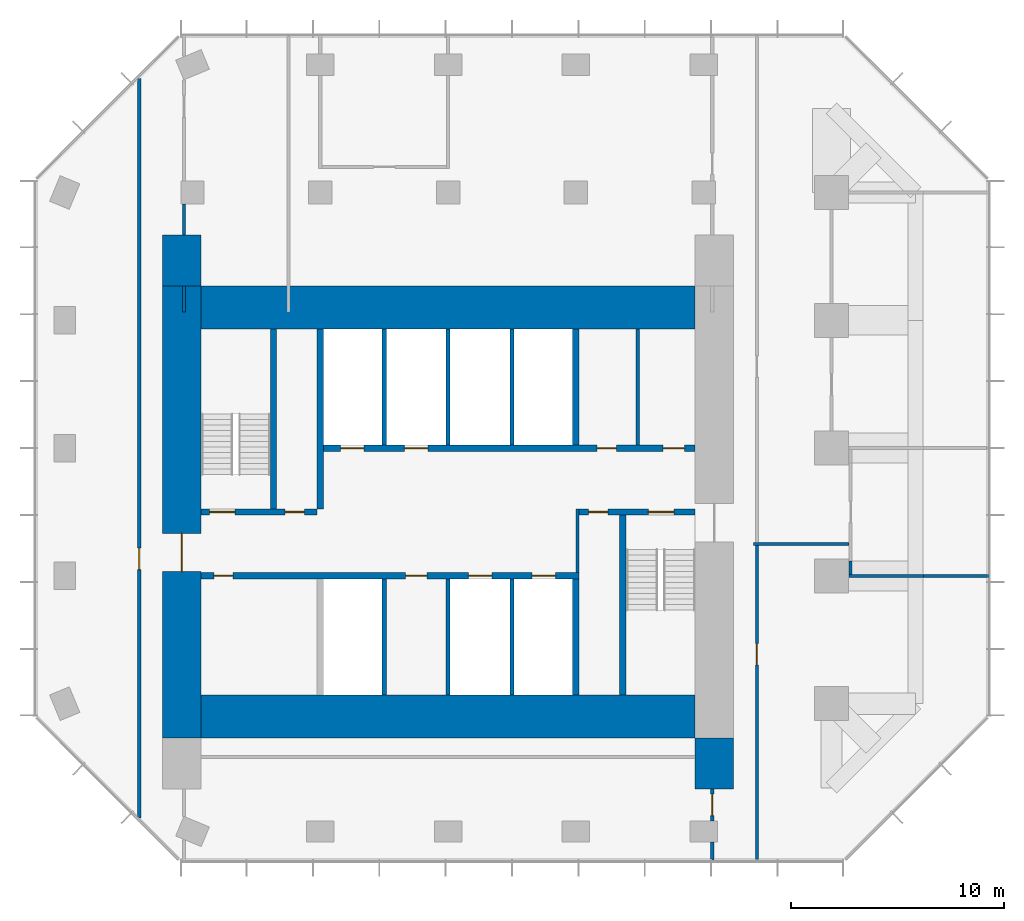
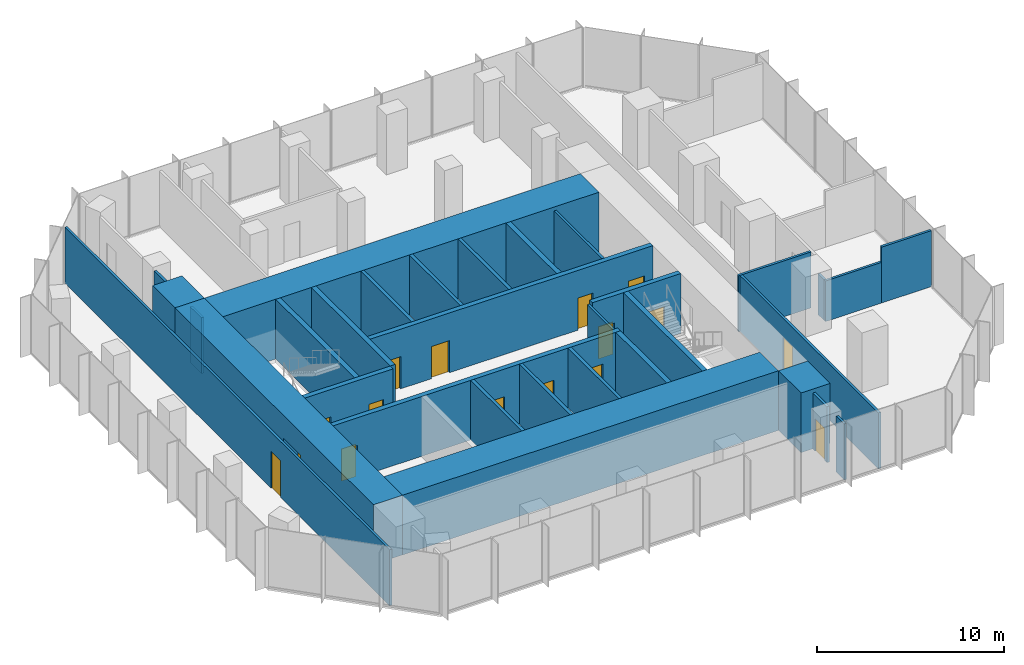
# One storey, part 8 of 10: 32 walls, 16 doors, 16 openings.
"""IFC4 building model written with IfcOpenShell, lengths in metres."""

from ifc_helpers import new_model, si_unit, direction, frame, frame_2d, origin, place, context, subcontext, project, spatial, rectangle, extrude, material, layer, layer_set, type_object, element, fill, save


model = new_model("IFC4")

# Units and contexts
model_context = context("Model", 3, precision=1e-05, world=origin(), true_north=direction((0.0, 1.0)))
body_context = subcontext(model_context, "Body", "Model", "MODEL_VIEW")
ifc_project = project(units=[si_unit("LENGTHUNIT", "METRE"), si_unit("AREAUNIT", "SQUARE_METRE"), si_unit("VOLUMEUNIT", "CUBIC_METRE"), si_unit("PLANEANGLEUNIT", "RADIAN"), si_unit("MASSUNIT", "GRAM", prefix="KILO")], contexts=[model_context])

# Site, building, storey
site_placement = place(None, origin())
site = spatial("IfcSite", under=ifc_project, at=site_placement, CompositionType="ELEMENT")
building_placement = place(site_placement, origin())
building = spatial("IfcBuilding", under=site, at=building_placement, Name="Highveld Stack Headquarters", CompositionType="ELEMENT")
storey_placement = place(building_placement, frame((0.0, 0.0, 256.699951171875)))
storey = spatial("IfcBuildingStorey", under=building, at=storey_placement, Name="L63", CompositionType="ELEMENT", Elevation=256.699951171875)

# Wall, opening, door
ifc_material_1 = material(Name="Concrete C60/75", Category="concrete")
ifc_layer_1 = layer(ifc_material_1, 1.800048828125)
ifc_layer_set_1 = layer_set([ifc_layer_1], Name="Concrete C60/75")
wall_type_1 = type_object("IfcWallType", Name="CORE WALL 1800 C60/75", PredefinedType="SHEAR", material=ifc_layer_set_1)
wall_1_placement = place(storey_placement, frame((-6.5, -7.60009765625, 0.0), z_axis=(0.0, 0.0, 1.0), x_axis=(0.0, 1.0, 0.0)))
wall_1 = element("IfcWall", 1, at=wall_1_placement, inside=storey, type_object=wall_type_1, Name="Core wall W L63", PredefinedType="SHEAR", context=body_context, shape_type="SweptSolid", body=[
    extrude(rectangle(XDim=21.2001953125, YDim=1.800048828125, at=frame_2d((10.60009765625, 0.0))), origin(), (0.0, 0.0, 1.0), 3.900146484375),
])
opening_1_placement = place(wall_1_placement, frame((7.800048828125, 0.0, 0.0)))
opening_1 = element("IfcOpeningElement", 2, at=opening_1_placement, cuts=wall_1, Name="Opening L63-01", PredefinedType="OPENING", context=body_context, shape_type="SweptSolid", body=[
    extrude(rectangle(XDim=1.800048828125, YDim=2.39990234375, at=frame_2d((0.89990234375, 1.199951171875))), frame((0.0, 0.909912109375, 0.0), z_axis=(0.0, -1.0, 0.0), x_axis=(1.0, 0.0, 0.0)), (0.0, 0.0, 1.0), 1.820068359375),
])
ifc_material_2 = material(Name="Steel fire door", Category="steel")
door_type_1 = type_object("IfcDoorType", Name="LOBBY FIRE DOOR D4 1800x2400", OperationType="DOUBLE_DOOR_SINGLE_SWING", PredefinedType="DOOR", material=ifc_material_2)
door_1_placement = place(opening_1_placement, origin())
door_1 = element("IfcDoor", 3, at=door_1_placement, inside=storey, type_object=door_type_1, Name="Core west door L63", OperationType="DOUBLE_DOOR_SINGLE_SWING", OverallHeight=2.39990234375, OverallWidth=1.800048828125, PredefinedType="DOOR", context=body_context, shape_type="SweptSolid", body=[
    extrude(rectangle(XDim=1.800048828125, YDim=2.39990234375, at=frame_2d((0.89990234375, 1.199951171875))), frame((0.0, 0.02490234375, 0.0), z_axis=(0.0, -1.0, 0.0), x_axis=(1.0, 0.0, 0.0)), (0.0, 0.0, 1.0), 0.050048828125),
])
fill(opening_1, door_1)

# Walls
ifc_material_3 = material(Name="Concrete C60/75", Category="concrete")
ifc_layer_2 = layer(ifc_material_3, 2.0)
ifc_layer_set_2 = layer_set([ifc_layer_2], Name="Concrete C60/75")
wall_type_2 = type_object("IfcWallType", Name="CORE WALL 2000 C60/75", PredefinedType="SHEAR", material=ifc_layer_set_2)
for number, where, z_axis, x_axis, name in (
    (4, (-5.60009765625, -6.60009765625, 0.0), (0.0, 0.0, 1.0), (1.0, 0.0, 0.0), "Core wall S L63"),
    (5, (-5.60009765625, 12.60009765625, 0.0), (0.0, 0.0, 1.0), (1.0, 0.0, 0.0), "Core wall N L63"),
):
    element("IfcWall", number, at=place(storey_placement, frame(where, z_axis=z_axis, x_axis=x_axis)), inside=storey, type_object=wall_type_2, Name=name, PredefinedType="SHEAR", context=body_context, shape_type="SweptSolid", body=[
        extrude(rectangle(XDim=23.2001953125, YDim=2.0, at=frame_2d((11.60009765625, 0.0))), origin(), (0.0, 0.0, 1.0), 3.900146484375),
    ])

# Wall, openings, doors
ifc_material_4 = material(Name="Concrete C60/75", Category="concrete")
ifc_layer_3 = layer(ifc_material_4, 0.300048828125)
ifc_layer_set_3 = layer_set([ifc_layer_3], Name="Concrete C60/75")
wall_type_3 = type_object("IfcWallType", Name="CORE WALL 300 C60/75", PredefinedType="SHEAR", material=ifc_layer_set_3)
wall_2_placement = place(storey_placement, frame((-5.60009765625, 0.0, 0.0), z_axis=(0.0, 0.0, 1.0), x_axis=(1.0, 0.0, 0.0)))
wall_2 = element("IfcWall", 6, at=wall_2_placement, inside=storey, type_object=wall_type_3, Name="Core wall I-Y0 L63", PredefinedType="SHEAR", context=body_context, shape_type="SweptSolid", body=[
    extrude(rectangle(XDim=17.75, YDim=0.300048828125, at=frame_2d((8.875, 0.0))), origin(), (0.0, 0.0, 1.0), 3.900146484375),
])
opening_2_placement = place(wall_2_placement, frame((0.60009765625, 0.0, 0.0)))
opening_2 = element("IfcOpeningElement", 7, at=opening_2_placement, cuts=wall_2, Name="Opening L63-07", PredefinedType="OPENING", context=body_context, shape_type="SweptSolid", body=[
    extrude(rectangle(XDim=0.89990234375, YDim=2.10009765625, at=frame_2d((0.449951171875, 1.050048828125))), frame((0.0, 0.159912109375, 0.0), z_axis=(0.0, -1.0, 0.0), x_axis=(1.0, 0.0, 0.0)), (0.0, 0.0, 1.0), 0.320068359375),
])
opening_3_placement = place(wall_2_placement, frame((9.60009765625, 0.0, 0.0)))
opening_3 = element("IfcOpeningElement", 8, at=opening_3_placement, cuts=wall_2, Name="Opening L63-10", PredefinedType="OPENING", context=body_context, shape_type="SweptSolid", body=[
    extrude(rectangle(XDim=1.0, YDim=2.10009765625, at=frame_2d((0.5, 1.050048828125))), frame((0.0, 0.159912109375, 0.0), z_axis=(0.0, -1.0, 0.0), x_axis=(1.0, 0.0, 0.0)), (0.0, 0.0, 1.0), 0.320068359375),
])
opening_4_placement = place(wall_2_placement, frame((12.550048828125, 0.0, 0.0)))
opening_4 = element("IfcOpeningElement", 9, at=opening_4_placement, cuts=wall_2, Name="Opening LD", PredefinedType="OPENING", context=body_context, shape_type="SweptSolid", body=[
    extrude(rectangle(XDim=1.10009765625, YDim=2.10009765625, at=frame_2d((0.550048828125, 1.050048828125))), frame((0.0, 0.159912109375, 0.0), z_axis=(0.0, -1.0, 0.0), x_axis=(1.0, 0.0, 0.0)), (0.0, 0.0, 1.0), 0.320068359375),
])
opening_5_placement = place(wall_2_placement, frame((15.550048828125, 0.0, 0.0)))
opening_5 = element("IfcOpeningElement", 10, at=opening_5_placement, cuts=wall_2, Name="Opening LD", PredefinedType="OPENING", context=body_context, shape_type="SweptSolid", body=[
    extrude(rectangle(XDim=1.10009765625, YDim=2.10009765625, at=frame_2d((0.550048828125, 1.050048828125))), frame((0.0, 0.159912109375, 0.0), z_axis=(0.0, -1.0, 0.0), x_axis=(1.0, 0.0, 0.0)), (0.0, 0.0, 1.0), 0.320068359375),
])
ifc_material_5 = material(Name="Steel fire door", Category="steel")
door_type_2 = type_object("IfcDoorType", Name="CORE ROOM FIRE DOOR D14 1000x2100", OperationType="SINGLE_SWING_LEFT", PredefinedType="DOOR", material=ifc_material_5)
door_2_placement = place(opening_3_placement, origin())
door_2 = element("IfcDoor", 11, at=door_2_placement, inside=storey, type_object=door_type_2, Name="Capped B 1 door L63", OperationType="SINGLE_SWING_RIGHT", OverallHeight=2.10009765625, OverallWidth=1.0, PredefinedType="DOOR", context=body_context, shape_type="SweptSolid", body=[
    extrude(rectangle(XDim=1.0, YDim=2.10009765625, at=frame_2d((0.5, 1.050048828125))), frame((0.0, 0.02490234375, 0.0), z_axis=(0.0, -1.0, 0.0), x_axis=(1.0, 0.0, 0.0)), (0.0, 0.0, 1.0), 0.050048828125),
])
fill(opening_3, door_2)
ifc_material_6 = material(Name="Stainless steel lift landing door", Category="steel")
door_type_3 = type_object("IfcDoorType", Name="LIFT LANDING DOOR LD 1100x2100", OperationType="DOUBLE_DOOR_SLIDING", PredefinedType="USERDEFINED", material=ifc_material_6)
door_3_placement = place(opening_4_placement, origin())
door_3 = element("IfcDoor", 12, at=door_3_placement, inside=storey, type_object=door_type_3, Name="Lift landing door C1 L63", ObjectType="LIFT LANDING DOOR", OperationType="DOUBLE_DOOR_SLIDING", OverallHeight=2.10009765625, OverallWidth=1.10009765625, PredefinedType="USERDEFINED", context=body_context, shape_type="SweptSolid", body=[
    extrude(rectangle(XDim=1.10009765625, YDim=2.10009765625, at=frame_2d((0.550048828125, 1.050048828125))), frame((0.0, 0.02490234375, 0.0), z_axis=(0.0, -1.0, 0.0), x_axis=(1.0, 0.0, 0.0)), (0.0, 0.0, 1.0), 0.050048828125),
])
fill(opening_4, door_3)
door_4_placement = place(opening_5_placement, origin())
door_4 = element("IfcDoor", 13, at=door_4_placement, inside=storey, type_object=door_type_3, Name="Lift landing door C2 L63", ObjectType="LIFT LANDING DOOR", OperationType="DOUBLE_DOOR_SLIDING", OverallHeight=2.10009765625, OverallWidth=1.10009765625, PredefinedType="USERDEFINED", context=body_context, shape_type="SweptSolid", body=[
    extrude(rectangle(XDim=1.10009765625, YDim=2.10009765625, at=frame_2d((0.550048828125, 1.050048828125))), frame((0.0, 0.02490234375, 0.0), z_axis=(0.0, -1.0, 0.0), x_axis=(1.0, 0.0, 0.0)), (0.0, 0.0, 1.0), 0.050048828125),
])
fill(opening_5, door_4)
ifc_material_7 = material(Name="Timber door, painted", Category="wood")
door_type_4 = type_object("IfcDoorType", Name="WC DOOR D1 900x2100", OperationType="SINGLE_SWING_LEFT", PredefinedType="DOOR", material=ifc_material_7)
door_5_placement = place(opening_2_placement, origin())
door_5 = element("IfcDoor", 14, at=door_5_placement, inside=storey, type_object=door_type_4, Name="Female WC door L63", OperationType="SINGLE_SWING_LEFT", OverallHeight=2.10009765625, OverallWidth=0.89990234375, PredefinedType="DOOR", context=body_context, shape_type="SweptSolid", body=[
    extrude(rectangle(XDim=0.89990234375, YDim=2.10009765625, at=frame_2d((0.449951171875, 1.050048828125))), frame((0.0, 0.02490234375, 0.0), z_axis=(0.0, -1.0, 0.0), x_axis=(1.0, 0.0, 0.0)), (0.0, 0.0, 1.0), 0.050048828125),
])
fill(opening_2, door_5)

wall_3_placement = place(storey_placement, frame((-5.60009765625, 3.0, 0.0), z_axis=(0.0, 0.0, 1.0), x_axis=(1.0, 0.0, 0.0)))
wall_3 = element("IfcWall", 15, at=wall_3_placement, inside=storey, type_object=wall_type_3, Name="Core wall I-Y3W L63", PredefinedType="SHEAR", context=body_context, shape_type="SweptSolid", body=[
    extrude(rectangle(XDim=5.4501953125, YDim=0.300048828125, at=frame_2d((2.72509765625, 0.0))), origin(), (0.0, 0.0, 1.0), 3.900146484375),
])
opening_6_placement = place(wall_3_placement, frame((0.39990234375, 0.0, 0.0)))
opening_6 = element("IfcOpeningElement", 16, at=opening_6_placement, cuts=wall_3, Name="Opening L63-03", PredefinedType="OPENING", context=body_context, shape_type="SweptSolid", body=[
    extrude(rectangle(XDim=1.199951171875, YDim=2.10009765625, at=frame_2d((0.60009765625, 1.050048828125))), frame((0.0, 0.159912109375, 0.0), z_axis=(0.0, -1.0, 0.0), x_axis=(1.0, 0.0, 0.0)), (0.0, 0.0, 1.0), 0.320068359375),
])
opening_7_placement = place(wall_3_placement, frame((3.949951171875, 0.0, 0.0)))
opening_7 = element("IfcOpeningElement", 17, at=opening_7_placement, cuts=wall_3, Name="Opening L63-04", PredefinedType="OPENING", context=body_context, shape_type="SweptSolid", body=[
    extrude(rectangle(XDim=0.89990234375, YDim=2.10009765625, at=frame_2d((0.449951171875, 1.050048828125))), frame((0.0, 0.159912109375, 0.0), z_axis=(0.0, -1.0, 0.0), x_axis=(1.0, 0.0, 0.0)), (0.0, 0.0, 1.0), 0.320068359375),
])
ifc_material_8 = material(Name="Steel fire door", Category="steel")
door_type_5 = type_object("IfcDoorType", Name="RISER ACCESS DOOR D5 900x2100", OperationType="SINGLE_SWING_LEFT", PredefinedType="DOOR", material=ifc_material_8)
door_6_placement = place(opening_7_placement, origin())
door_6 = element("IfcDoor", 18, at=door_6_placement, inside=storey, type_object=door_type_5, Name="Riser R1 door L63", OperationType="SINGLE_SWING_RIGHT", OverallHeight=2.10009765625, OverallWidth=0.89990234375, PredefinedType="DOOR", context=body_context, shape_type="SweptSolid", body=[
    extrude(rectangle(XDim=0.89990234375, YDim=2.10009765625, at=frame_2d((0.449951171875, 1.050048828125))), frame((0.0, 0.02490234375, 0.0), z_axis=(0.0, -1.0, 0.0), x_axis=(1.0, 0.0, 0.0)), (0.0, 0.0, 1.0), 0.050048828125),
])
fill(opening_7, door_6)
ifc_material_9 = material(Name="Steel fire door", Category="steel")
door_type_6 = type_object("IfcDoorType", Name="STAIR FIRE DOOR D3 1200x2100", OperationType="SINGLE_SWING_LEFT", PredefinedType="DOOR", material=ifc_material_9)
door_7_placement = place(opening_6_placement, origin())
door_7 = element("IfcDoor", 19, at=door_7_placement, inside=storey, type_object=door_type_6, Name="Stair S1 door L63", OperationType="SINGLE_SWING_LEFT", OverallHeight=2.10009765625, OverallWidth=1.199951171875, PredefinedType="DOOR", context=body_context, shape_type="SweptSolid", body=[
    extrude(rectangle(XDim=1.199951171875, YDim=2.10009765625, at=frame_2d((0.60009765625, 1.050048828125))), frame((0.0, 0.02490234375, 0.0), z_axis=(0.0, -1.0, 0.0), x_axis=(1.0, 0.0, 0.0)), (0.0, 0.0, 1.0), 0.050048828125),
])
fill(opening_6, door_7)

wall_4_placement = place(storey_placement, frame((12.14990234375, 3.0, 0.0), z_axis=(0.0, 0.0, 1.0), x_axis=(1.0, 0.0, 0.0)))
wall_4 = element("IfcWall", 20, at=wall_4_placement, inside=storey, type_object=wall_type_3, Name="Core wall I-Y3E L63", PredefinedType="SHEAR", context=body_context, shape_type="SweptSolid", body=[
    extrude(rectangle(XDim=5.4501953125, YDim=0.300048828125, at=frame_2d((2.72509765625, 0.0))), origin(), (0.0, 0.0, 1.0), 3.900146484375),
])
opening_8_placement = place(wall_4_placement, frame((3.25, 0.0, 0.0)))
opening_8 = element("IfcOpeningElement", 21, at=opening_8_placement, cuts=wall_4, Name="Opening L63-05", PredefinedType="OPENING", context=body_context, shape_type="SweptSolid", body=[
    extrude(rectangle(XDim=1.199951171875, YDim=2.10009765625, at=frame_2d((0.60009765625, 1.050048828125))), frame((0.0, 0.159912109375, 0.0), z_axis=(0.0, -1.0, 0.0), x_axis=(1.0, 0.0, 0.0)), (0.0, 0.0, 1.0), 0.320068359375),
])
opening_9_placement = place(wall_4_placement, frame((0.449951171875, 0.0, 0.0)))
opening_9 = element("IfcOpeningElement", 22, at=opening_9_placement, cuts=wall_4, Name="Opening L63-06", PredefinedType="OPENING", context=body_context, shape_type="SweptSolid", body=[
    extrude(rectangle(XDim=0.89990234375, YDim=2.10009765625, at=frame_2d((0.449951171875, 1.050048828125))), frame((0.0, 0.159912109375, 0.0), z_axis=(0.0, -1.0, 0.0), x_axis=(1.0, 0.0, 0.0)), (0.0, 0.0, 1.0), 0.320068359375),
])
door_8_placement = place(opening_9_placement, origin())
door_8 = element("IfcDoor", 23, at=door_8_placement, inside=storey, type_object=door_type_5, Name="Riser R2 door L63", OperationType="SINGLE_SWING_LEFT", OverallHeight=2.10009765625, OverallWidth=0.89990234375, PredefinedType="DOOR", context=body_context, shape_type="SweptSolid", body=[
    extrude(rectangle(XDim=0.89990234375, YDim=2.10009765625, at=frame_2d((0.449951171875, 1.050048828125))), frame((0.0, 0.02490234375, 0.0), z_axis=(0.0, -1.0, 0.0), x_axis=(1.0, 0.0, 0.0)), (0.0, 0.0, 1.0), 0.050048828125),
])
fill(opening_9, door_8)
door_9_placement = place(opening_8_placement, origin())
door_9 = element("IfcDoor", 24, at=door_9_placement, inside=storey, type_object=door_type_6, Name="Stair S2 door L63", OperationType="SINGLE_SWING_RIGHT", OverallHeight=2.10009765625, OverallWidth=1.199951171875, PredefinedType="DOOR", context=body_context, shape_type="SweptSolid", body=[
    extrude(rectangle(XDim=1.199951171875, YDim=2.10009765625, at=frame_2d((0.60009765625, 1.050048828125))), frame((0.0, 0.02490234375, 0.0), z_axis=(0.0, -1.0, 0.0), x_axis=(1.0, 0.0, 0.0)), (0.0, 0.0, 1.0), 0.050048828125),
])
fill(opening_8, door_9)

wall_5_placement = place(storey_placement, frame((-0.14990234375, 6.0, 0.0), z_axis=(0.0, 0.0, 1.0), x_axis=(1.0, 0.0, 0.0)))
wall_5 = element("IfcWall", 25, at=wall_5_placement, inside=storey, type_object=wall_type_3, Name="Core wall I-Y6 L63", PredefinedType="SHEAR", context=body_context, shape_type="SweptSolid", body=[
    extrude(rectangle(XDim=17.75, YDim=0.300048828125, at=frame_2d((8.875, 0.0))), origin(), (0.0, 0.0, 1.0), 3.900146484375),
])
opening_10_placement = place(wall_5_placement, frame((13.14990234375, 0.0, 0.0)))
opening_10 = element("IfcOpeningElement", 26, at=opening_10_placement, cuts=wall_5, Name="Opening L63-08", PredefinedType="OPENING", context=body_context, shape_type="SweptSolid", body=[
    extrude(rectangle(XDim=0.89990234375, YDim=2.10009765625, at=frame_2d((0.449951171875, 1.050048828125))), frame((0.0, 0.159912109375, 0.0), z_axis=(0.0, -1.0, 0.0), x_axis=(1.0, 0.0, 0.0)), (0.0, 0.0, 1.0), 0.320068359375),
])
opening_11_placement = place(wall_5_placement, frame((16.25, 0.0, 0.0)))
opening_11 = element("IfcOpeningElement", 27, at=opening_11_placement, cuts=wall_5, Name="Opening L63-09", PredefinedType="OPENING", context=body_context, shape_type="SweptSolid", body=[
    extrude(rectangle(XDim=1.0, YDim=2.10009765625, at=frame_2d((0.5, 1.050048828125))), frame((0.0, 0.159912109375, 0.0), z_axis=(0.0, -1.0, 0.0), x_axis=(1.0, 0.0, 0.0)), (0.0, 0.0, 1.0), 0.320068359375),
])
opening_12_placement = place(wall_5_placement, frame((1.10009765625, 0.0, 0.0)))
opening_12 = element("IfcOpeningElement", 28, at=opening_12_placement, cuts=wall_5, Name="Opening LD", PredefinedType="OPENING", context=body_context, shape_type="SweptSolid", body=[
    extrude(rectangle(XDim=1.10009765625, YDim=2.10009765625, at=frame_2d((0.550048828125, 1.050048828125))), frame((0.0, 0.159912109375, 0.0), z_axis=(0.0, -1.0, 0.0), x_axis=(1.0, 0.0, 0.0)), (0.0, 0.0, 1.0), 0.320068359375),
])
opening_13_placement = place(wall_5_placement, frame((4.10009765625, 0.0, 0.0)))
opening_13 = element("IfcOpeningElement", 29, at=opening_13_placement, cuts=wall_5, Name="Opening LD", PredefinedType="OPENING", context=body_context, shape_type="SweptSolid", body=[
    extrude(rectangle(XDim=1.10009765625, YDim=2.10009765625, at=frame_2d((0.550048828125, 1.050048828125))), frame((0.0, 0.159912109375, 0.0), z_axis=(0.0, -1.0, 0.0), x_axis=(1.0, 0.0, 0.0)), (0.0, 0.0, 1.0), 0.320068359375),
])
ifc_material_10 = material(Name="Timber door, painted", Category="wood")
door_type_7 = type_object("IfcDoorType", Name="ACCESSIBLE WC DOOR D2 1000x2100", OperationType="SINGLE_SWING_RIGHT", PredefinedType="DOOR", material=ifc_material_10)
door_10_placement = place(opening_11_placement, origin())
door_10 = element("IfcDoor", 30, at=door_10_placement, inside=storey, type_object=door_type_7, Name="Accessible WC door L63", OperationType="SINGLE_SWING_RIGHT", OverallHeight=2.10009765625, OverallWidth=1.0, PredefinedType="DOOR", context=body_context, shape_type="SweptSolid", body=[
    extrude(rectangle(XDim=1.0, YDim=2.10009765625, at=frame_2d((0.5, 1.050048828125))), frame((0.0, 0.02490234375, 0.0), z_axis=(0.0, -1.0, 0.0), x_axis=(1.0, 0.0, 0.0)), (0.0, 0.0, 1.0), 0.050048828125),
])
fill(opening_11, door_10)
door_11_placement = place(opening_12_placement, origin())
door_11 = element("IfcDoor", 31, at=door_11_placement, inside=storey, type_object=door_type_3, Name="Lift landing door FF1 L63", ObjectType="LIFT LANDING DOOR", OperationType="DOUBLE_DOOR_SLIDING", OverallHeight=2.10009765625, OverallWidth=1.10009765625, PredefinedType="USERDEFINED", context=body_context, shape_type="SweptSolid", body=[
    extrude(rectangle(XDim=1.10009765625, YDim=2.10009765625, at=frame_2d((0.550048828125, 1.050048828125))), frame((0.0, 0.02490234375, 0.0), z_axis=(0.0, -1.0, 0.0), x_axis=(1.0, 0.0, 0.0)), (0.0, 0.0, 1.0), 0.050048828125),
])
fill(opening_12, door_11)
door_12_placement = place(opening_13_placement, origin())
door_12 = element("IfcDoor", 32, at=door_12_placement, inside=storey, type_object=door_type_3, Name="Lift landing door FF2 L63", ObjectType="LIFT LANDING DOOR", OperationType="DOUBLE_DOOR_SLIDING", OverallHeight=2.10009765625, OverallWidth=1.10009765625, PredefinedType="USERDEFINED", context=body_context, shape_type="SweptSolid", body=[
    extrude(rectangle(XDim=1.10009765625, YDim=2.10009765625, at=frame_2d((0.550048828125, 1.050048828125))), frame((0.0, 0.02490234375, 0.0), z_axis=(0.0, -1.0, 0.0), x_axis=(1.0, 0.0, 0.0)), (0.0, 0.0, 1.0), 0.050048828125),
])
fill(opening_13, door_12)
door_13_placement = place(opening_10_placement, origin())
door_13 = element("IfcDoor", 33, at=door_13_placement, inside=storey, type_object=door_type_4, Name="Male WC door L63", OperationType="SINGLE_SWING_RIGHT", OverallHeight=2.10009765625, OverallWidth=0.89990234375, PredefinedType="DOOR", context=body_context, shape_type="SweptSolid", body=[
    extrude(rectangle(XDim=0.89990234375, YDim=2.10009765625, at=frame_2d((0.449951171875, 1.050048828125))), frame((0.0, 0.02490234375, 0.0), z_axis=(0.0, -1.0, 0.0), x_axis=(1.0, 0.0, 0.0)), (0.0, 0.0, 1.0), 0.050048828125),
])
fill(opening_10, door_13)

# Walls
wall_6_placement = place(storey_placement, frame((0.0, 3.14990234375, 0.0), z_axis=(0.0, 0.0, 1.0), x_axis=(0.0, 1.0, 0.0)))
element("IfcWall", 34, at=wall_6_placement, inside=storey, type_object=wall_type_3, Name="Core wall I-X0N L63", PredefinedType="SHEAR", context=body_context, shape_type="SweptSolid", body=[
    extrude(rectangle(XDim=8.4501953125, YDim=0.300048828125, at=frame_2d((4.22509765625, 0.0))), origin(), (0.0, 0.0, 1.0), 3.900146484375),
])
for number, where, z_axis, x_axis, name in (
    (35, (12.0, -5.60009765625, 0.0), (0.0, 0.0, 1.0), (0.0, 1.0, 0.0), "Core wall I-X12S L63"),
    (36, (12.0, 6.14990234375, 0.0), (0.0, 0.0, 1.0), (0.0, 1.0, 0.0), "Core wall I-X12N L63"),
):
    element("IfcWall", number, at=place(storey_placement, frame(where, z_axis=z_axis, x_axis=x_axis)), inside=storey, type_object=wall_type_3, Name=name, PredefinedType="SHEAR", context=body_context, shape_type="SweptSolid", body=[
        extrude(rectangle(XDim=5.4501953125, YDim=0.300048828125, at=frame_2d((2.72509765625, 0.0))), origin(), (0.0, 0.0, 1.0), 3.900146484375),
    ])
for number, where, z_axis, x_axis, name in (
    (37, (-2.199951171875, 3.14990234375, 0.0), (0.0, 0.0, 1.0), (0.0, 1.0, 0.0), "Core wall I-RW L63"),
    (38, (14.199951171875, -5.60009765625, 0.0), (0.0, 0.0, 1.0), (0.0, 1.0, 0.0), "Core wall I-RE L63"),
):
    element("IfcWall", number, at=place(storey_placement, frame(where, z_axis=z_axis, x_axis=x_axis)), inside=storey, type_object=wall_type_3, Name=name, PredefinedType="SHEAR", context=body_context, shape_type="SweptSolid", body=[
        extrude(rectangle(XDim=8.4501953125, YDim=0.300048828125, at=frame_2d((4.22509765625, 0.0))), origin(), (0.0, 0.0, 1.0), 3.900146484375),
    ])
ifc_material_11 = material(Name="Concrete C60/75", Category="concrete")
ifc_layer_4 = layer(ifc_material_11, 1.800048828125)
ifc_layer_set_4 = layer_set([ifc_layer_4], Name="Concrete C60/75")
wall_type_4 = type_object("IfcWallType", Name="CORE WING WALL 1800 C60/75", PredefinedType="SHEAR", material=ifc_layer_set_4)
for number, where, z_axis, x_axis, name in (
    (39, (-6.5, 13.60009765625, 0.0), (0.0, 0.0, 1.0), (0.0, 1.0, 0.0), "Core wing wall WN L63"),
    (40, (18.5, -10.0, 0.0), (0.0, 0.0, 1.0), (0.0, 1.0, 0.0), "Core wing wall ES L63"),
):
    element("IfcWall", number, at=place(storey_placement, frame(where, z_axis=z_axis, x_axis=x_axis)), inside=storey, type_object=wall_type_4, Name=name, PredefinedType="SHEAR", context=body_context, shape_type="SweptSolid", body=[
        extrude(rectangle(XDim=2.39990234375, YDim=1.800048828125, at=frame_2d((1.199951171875, 0.0))), origin(), (0.0, 0.0, 1.0), 3.900146484375),
    ])
ifc_material_12 = material(Name="Concrete blockwork, plastered", Category="masonry")
ifc_layer_5 = layer(ifc_material_12, 0.14990234375)
ifc_layer_set_5 = layer_set([ifc_layer_5], Name="Concrete blockwork, plastered")
wall_type_5 = type_object("IfcWallType", Name="FIRE PARTITION 150 BLOCKWORK", PredefinedType="PARTITIONING", material=ifc_layer_set_5)
wall_7_placement = place(storey_placement, frame((12.074951171875, 0.14990234375, 0.0), z_axis=(0.0, 0.0, 1.0), x_axis=(0.0, 1.0, 0.0)))
element("IfcWall", 41, at=wall_7_placement, inside=storey, type_object=wall_type_5, Name="Riser R2 enclosure L63", PredefinedType="PARTITIONING", context=body_context, shape_type="SweptSolid", body=[
    extrude(rectangle(XDim=3.0, YDim=0.14990234375, at=frame_2d((1.5, 0.0))), origin(), (0.0, 0.0, 1.0), 3.650146484375),
])
ifc_material_13 = material(Name="Concrete blockwork, fair-faced", Category="masonry")
ifc_layer_6 = layer(ifc_material_13, 0.199951171875)
ifc_layer_set_6 = layer_set([ifc_layer_6], Name="Concrete blockwork, fair-faced")
wall_type_6 = type_object("IfcWallType", Name="LIFT SHAFT ENCLOSURE WALL 200 BLOCKWORK", PredefinedType="SOLIDWALL", material=ifc_layer_set_6)
for number, where, z_axis, x_axis, name in (
    (42, (3.0, 6.14990234375, 0.0), (0.0, 0.0, 1.0), (0.0, 1.0, 0.0), "Lift shaft wall L63"),
    (43, (6.0, 6.14990234375, 0.0), (0.0, 0.0, 1.0), (0.0, 1.0, 0.0), "Lift shaft wall L63"),
    (44, (9.0, 6.14990234375, 0.0), (0.0, 0.0, 1.0), (0.0, 1.0, 0.0), "Lift shaft wall L63"),
    (45, (3.0, -5.60009765625, 0.0), (0.0, 0.0, 1.0), (0.0, 1.0, 0.0), "Lift shaft wall L63"),
    (46, (6.0, -5.60009765625, 0.0), (0.0, 0.0, 1.0), (0.0, 1.0, 0.0), "Lift shaft wall L63"),
    (47, (9.0, -5.60009765625, 0.0), (0.0, 0.0, 1.0), (0.0, 1.0, 0.0), "Lift shaft wall L63"),
):
    element("IfcWall", number, at=place(storey_placement, frame(where, z_axis=z_axis, x_axis=x_axis)), inside=storey, type_object=wall_type_6, Name=name, PredefinedType="SOLIDWALL", context=body_context, shape_type="SweptSolid", body=[
        extrude(rectangle(XDim=5.4501953125, YDim=0.199951171875, at=frame_2d((2.72509765625, 0.0))), origin(), (0.0, 0.0, 1.0), 3.900146484375),
    ])
ifc_material_14 = material(Name="Gypsum plasterboard on steel studs", Category="steel")
ifc_layer_7 = layer(ifc_material_14, 0.14990234375)
ifc_layer_set_7 = layer_set([ifc_layer_7], Name="Gypsum plasterboard on steel studs")
wall_type_7 = type_object("IfcWallType", Name="PARTITION 150 PLASTERBOARD", PredefinedType="PARTITIONING", material=ifc_layer_set_7)
wall_8_placement = place(storey_placement, frame((24.824951171875, 0.0, 0.0), z_axis=(0.0, 0.0, 1.0), x_axis=(1.0, 0.0, 0.0)))
element("IfcWall", 48, at=wall_8_placement, inside=storey, type_object=wall_type_7, Name="Partition Interview room L63", PredefinedType="PARTITIONING", context=body_context, shape_type="SweptSolid", body=[
    extrude(rectangle(XDim=3.485107421875, YDim=0.14990234375, at=frame_2d((1.74267578125, 0.0))), origin(), (0.0, 0.0, 1.0), 2.650146484375),
])
wall_9_placement = place(storey_placement, frame((28.31005859375, 0.0, 0.0), z_axis=(0.0, 0.0, 1.0), x_axis=(1.0, 0.0, 0.0)))
element("IfcWall", 49, at=wall_9_placement, inside=storey, type_object=wall_type_7, Name="Partition Interview room L63", PredefinedType="PARTITIONING", context=body_context, shape_type="SweptSolid", body=[
    extrude(rectangle(XDim=3.06494140625, YDim=0.14990234375, at=frame_2d((1.532470703125, 0.0))), origin(), (0.0, 0.0, 1.0), 3.650146484375),
])
wall_10_placement = place(storey_placement, frame((24.89990234375, 0.074951171875, 0.0), z_axis=(0.0, 0.0, 1.0), x_axis=(0.0, 1.0, 0.0)))
element("IfcWall", 50, at=wall_10_placement, inside=storey, type_object=wall_type_7, Name="Partition Interview room L63", PredefinedType="PARTITIONING", context=body_context, shape_type="SweptSolid", body=[
    extrude(rectangle(XDim=0.635009765625, YDim=0.14990234375, at=frame_2d((0.3173828125, 0.0))), origin(), (0.0, 0.0, 1.0), 2.650146484375),
])

# Wall, opening, door
wall_11_placement = place(storey_placement, frame((-8.5, -11.363037109375, 0.0), z_axis=(0.0, 0.0, 1.0), x_axis=(0.0, 1.0, 0.0)))
wall_11 = element("IfcWall", 51, at=wall_11_placement, inside=storey, type_object=wall_type_7, Name="Partition office neighbourhood L63", PredefinedType="PARTITIONING", context=body_context, shape_type="SweptSolid", body=[
    extrude(rectangle(XDim=34.72607421875, YDim=0.14990234375, at=frame_2d((17.363037109375, 0.0))), origin(), (0.0, 0.0, 1.0), 3.650146484375),
])
opening_14_placement = place(wall_11_placement, frame((11.662109375, 0.0, 0.0)))
opening_14 = element("IfcOpeningElement", 52, at=opening_14_placement, cuts=wall_11, Name="Opening L63-15", PredefinedType="OPENING", context=body_context, shape_type="SweptSolid", body=[
    extrude(rectangle(XDim=1.0, YDim=2.39990234375, at=frame_2d((0.5, 1.199951171875))), frame((0.0, 0.0849609375, 0.0), z_axis=(0.0, -1.0, 0.0), x_axis=(1.0, 0.0, 0.0)), (0.0, 0.0, 1.0), 0.169921875),
])
ifc_material_15 = material(Name="Timber door, oiled ash", Category="wood")
door_type_8 = type_object("IfcDoorType", Name="ROOM DOOR D11 1000x2400", OperationType="SINGLE_SWING_LEFT", PredefinedType="DOOR", material=ifc_material_15)
door_14_placement = place(opening_14_placement, origin())
door_14 = element("IfcDoor", 53, at=door_14_placement, inside=storey, type_object=door_type_8, Name="Office neighbourhood door L63", OperationType="SINGLE_SWING_LEFT", OverallHeight=2.39990234375, OverallWidth=1.0, PredefinedType="DOOR", context=body_context, shape_type="SweptSolid", body=[
    extrude(rectangle(XDim=1.0, YDim=2.39990234375, at=frame_2d((0.5, 1.199951171875))), frame((0.0, 0.02490234375, 0.0), z_axis=(0.0, -1.0, 0.0), x_axis=(1.0, 0.0, 0.0)), (0.0, 0.0, 1.0), 0.050048828125),
])
fill(opening_14, door_14)

# Walls
wall_12_placement = place(storey_placement, frame((-6.39990234375, 12.39990234375, 0.0), z_axis=(0.0, 0.0, 1.0), x_axis=(0.0, 1.0, 0.0)))
element("IfcWall", 54, at=wall_12_placement, inside=storey, type_object=wall_type_7, Name="Partition office neighbourhood L63", PredefinedType="PARTITIONING", context=body_context, shape_type="SweptSolid", body=[
    extrude(rectangle(XDim=1.2001953125, YDim=0.14990234375, at=frame_2d((0.60009765625, 0.0))), origin(), (0.0, 0.0, 1.0), 3.650146484375),
])
wall_13_placement = place(storey_placement, frame((-6.39990234375, 16.0, 0.0), z_axis=(0.0, 0.0, 1.0), x_axis=(0.0, 1.0, 0.0)))
element("IfcWall", 55, at=wall_13_placement, inside=storey, type_object=wall_type_7, Name="Partition office neighbourhood L63", PredefinedType="PARTITIONING", context=body_context, shape_type="SweptSolid", body=[
    extrude(rectangle(XDim=1.449951171875, YDim=0.14990234375, at=frame_2d((0.72509765625, 0.0))), origin(), (0.0, 0.0, 1.0), 3.650146484375),
])
wall_14_placement = place(storey_placement, frame((18.39990234375, -13.35009765625, 0.0), z_axis=(0.0, 0.0, 1.0), x_axis=(0.0, 1.0, 0.0)))
element("IfcWall", 56, at=wall_14_placement, inside=storey, type_object=wall_type_7, Name="Partition office neighbourhood L63", PredefinedType="PARTITIONING", context=body_context, shape_type="SweptSolid", body=[
    extrude(rectangle(XDim=0.85009765625, YDim=0.14990234375, at=frame_2d((0.425048828125, 0.0))), origin(), (0.0, 0.0, 1.0), 3.650146484375),
])

# Wall, opening, door
wall_15_placement = place(storey_placement, frame((18.39990234375, -11.5, 0.0), z_axis=(0.0, 0.0, 1.0), x_axis=(0.0, 1.0, 0.0)))
wall_15 = element("IfcWall", 57, at=wall_15_placement, inside=storey, type_object=wall_type_7, Name="Partition office neighbourhood L63", PredefinedType="PARTITIONING", context=body_context, shape_type="SweptSolid", body=[
    extrude(rectangle(XDim=1.5, YDim=0.14990234375, at=frame_2d((0.75, 0.0))), origin(), (0.0, 0.0, 1.0), 3.650146484375),
])
opening_15_placement = place(wall_15_placement, frame((0.25, 0.0, 0.0)))
opening_15 = element("IfcOpeningElement", 58, at=opening_15_placement, cuts=wall_15, Name="Opening L63-19", PredefinedType="OPENING", context=body_context, shape_type="SweptSolid", body=[
    extrude(rectangle(XDim=1.0, YDim=2.10009765625, at=frame_2d((0.5, 1.050048828125))), frame((0.0, 0.0849609375, 0.0), z_axis=(0.0, -1.0, 0.0), x_axis=(1.0, 0.0, 0.0)), (0.0, 0.0, 1.0), 0.169921875),
])
ifc_material_16 = material(Name="Timber door, oiled ash", Category="wood")
door_type_9 = type_object("IfcDoorType", Name="ROOM DOOR D6 1000x2100", OperationType="SINGLE_SWING_LEFT", PredefinedType="DOOR", material=ifc_material_16)
door_15_placement = place(opening_15_placement, origin())
door_15 = element("IfcDoor", 59, at=door_15_placement, inside=storey, type_object=door_type_9, Name="Office neighbourhood door L63", OperationType="SINGLE_SWING_RIGHT", OverallHeight=2.10009765625, OverallWidth=1.0, PredefinedType="DOOR", context=body_context, shape_type="SweptSolid", body=[
    extrude(rectangle(XDim=1.0, YDim=2.10009765625, at=frame_2d((0.5, 1.050048828125))), frame((0.0, 0.02490234375, 0.0), z_axis=(0.0, -1.0, 0.0), x_axis=(1.0, 0.0, 0.0)), (0.0, 0.0, 1.0), 0.050048828125),
])
fill(opening_15, door_15)

wall_16_placement = place(storey_placement, frame((20.5, -13.375, 0.0), z_axis=(0.0, 0.0, 1.0), x_axis=(0.0, 1.0, 0.0)))
wall_16 = element("IfcWall", 60, at=wall_16_placement, inside=storey, type_object=wall_type_7, Name="Partition office neighbourhood L63", PredefinedType="PARTITIONING", context=body_context, shape_type="SweptSolid", body=[
    extrude(rectangle(XDim=14.800048828125, YDim=0.14990234375, at=frame_2d((7.39990234375, 0.0))), origin(), (0.0, 0.0, 1.0), 3.650146484375),
])
opening_16_placement = place(wall_16_placement, frame((9.195068359375, 0.0, 0.0)))
opening_16 = element("IfcOpeningElement", 61, at=opening_16_placement, cuts=wall_16, Name="Opening L63-14", PredefinedType="OPENING", context=body_context, shape_type="SweptSolid", body=[
    extrude(rectangle(XDim=1.0, YDim=2.39990234375, at=frame_2d((0.5, 1.199951171875))), frame((0.0, 0.0849609375, 0.0), z_axis=(0.0, -1.0, 0.0), x_axis=(1.0, 0.0, 0.0)), (0.0, 0.0, 1.0), 0.169921875),
])
door_16_placement = place(opening_16_placement, origin())
door_16 = element("IfcDoor", 62, at=door_16_placement, inside=storey, type_object=door_type_8, Name="Office neighbourhood door L63", OperationType="SINGLE_SWING_RIGHT", OverallHeight=2.39990234375, OverallWidth=1.0, PredefinedType="DOOR", context=body_context, shape_type="SweptSolid", body=[
    extrude(rectangle(XDim=1.0, YDim=2.39990234375, at=frame_2d((0.5, 1.199951171875))), frame((0.0, 0.02490234375, 0.0), z_axis=(0.0, -1.0, 0.0), x_axis=(1.0, 0.0, 0.0)), (0.0, 0.0, 1.0), 0.050048828125),
])
fill(opening_16, door_16)

# Walls
wall_17_placement = place(storey_placement, frame((20.35009765625, 1.5, 0.0), z_axis=(0.0, 0.0, 1.0), x_axis=(1.0, 0.0, 0.0)))
element("IfcWall", 63, at=wall_17_placement, inside=storey, type_object=wall_type_7, Name="Partition office neighbourhood L63", PredefinedType="PARTITIONING", context=body_context, shape_type="SweptSolid", body=[
    extrude(rectangle(XDim=4.474853515625, YDim=0.14990234375, at=frame_2d((2.2373046875, 0.0))), origin(), (0.0, 0.0, 1.0), 3.650146484375),
])
ifc_material_17 = material(Name="Concrete blockwork, tiled", Category="masonry")
ifc_layer_8 = layer(ifc_material_17, 0.14990234375)
ifc_layer_set_8 = layer_set([ifc_layer_8], Name="Concrete blockwork, tiled")
wall_type_8 = type_object("IfcWallType", Name="WC PARTITION 150", PredefinedType="PLUMBINGWALL", material=ifc_layer_set_8)
wall_18_placement = place(storey_placement, frame((14.89990234375, 6.14990234375, 0.0), z_axis=(0.0, 0.0, 1.0), x_axis=(0.0, 1.0, 0.0)))
element("IfcWall", 64, at=wall_18_placement, inside=storey, type_object=wall_type_8, Name="Toilet partition L63", PredefinedType="PLUMBINGWALL", context=body_context, shape_type="SweptSolid", body=[
    extrude(rectangle(XDim=5.4501953125, YDim=0.14990234375, at=frame_2d((2.72509765625, 0.0))), origin(), (0.0, 0.0, 1.0), 3.650146484375),
])

save(model, "model.ifc")
